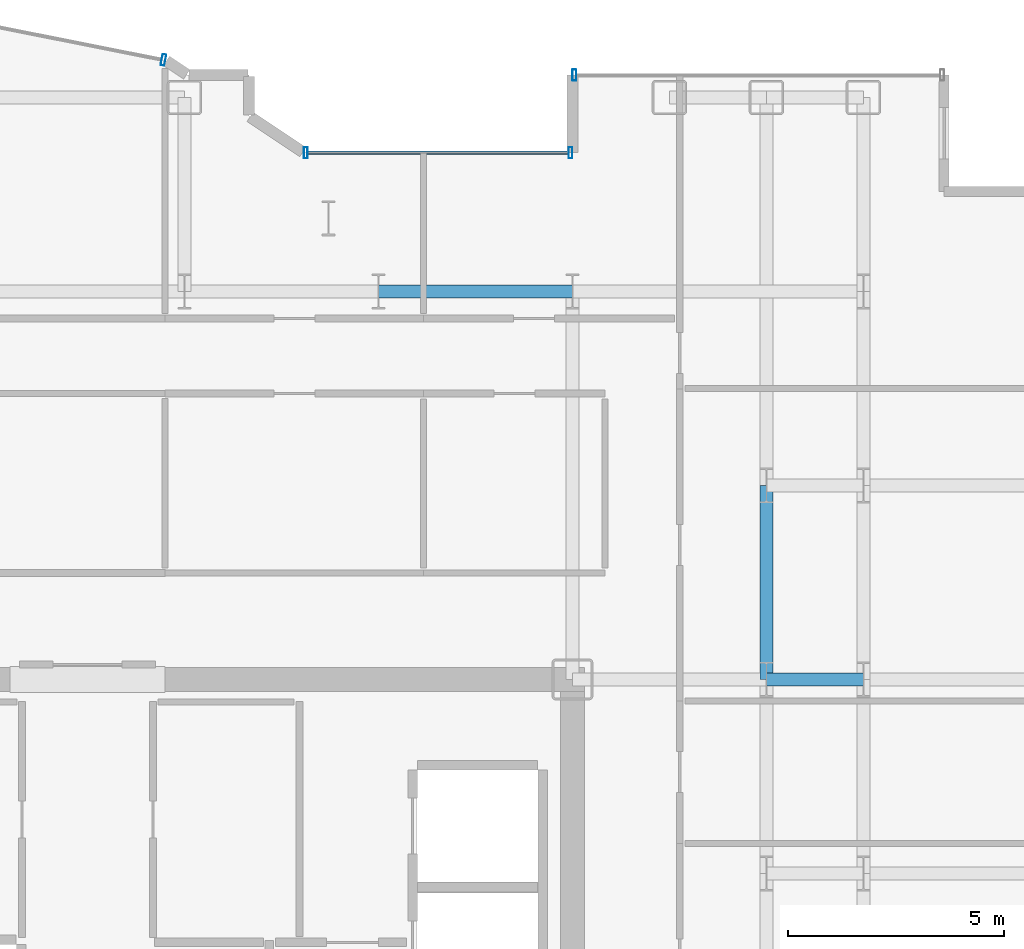
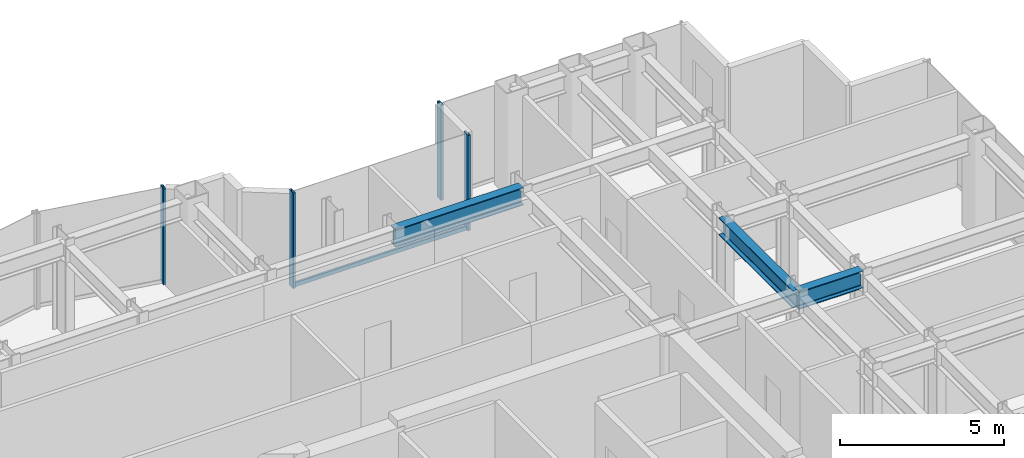
# One storey, part 13 of 23: 5 members, 3 beams, 3 elements without a shape of their own.
"""IFC4 building model written with IfcOpenShell, lengths in metres."""

from ifc_helpers import new_model, si_unit, direction, frame, origin, origin_2d, place, context, subcontext, project, spatial, hollow_rectangle, i_section, extrude, source, transform, mapped, material, layer, layer_set, material_profile, profile_set, type_object, element, aggregate, save


model = new_model("IFC4")

# Units and contexts
model_context = context("Model", 3, precision=1e-05, world=origin(), true_north=direction((0.0, 1.0)))
body_context = subcontext(model_context, "Body", "Model", "MODEL_VIEW")
ifc_project = project(units=[si_unit("LENGTHUNIT", "METRE"), si_unit("AREAUNIT", "SQUARE_METRE"), si_unit("VOLUMEUNIT", "CUBIC_METRE"), si_unit("PLANEANGLEUNIT", "RADIAN"), si_unit("MASSUNIT", "GRAM", prefix="KILO")], contexts=[model_context])

# Site, building, storey
site_placement = place(None, origin())
site = spatial("IfcSite", under=ifc_project, at=site_placement, CompositionType="ELEMENT")
building_placement = place(site_placement, origin())
building = spatial("IfcBuilding", under=site, at=building_placement, Name="Nefas-Gora Pilgrimage Tower", CompositionType="ELEMENT")
storey_placement = place(building_placement, frame((0.0, 0.0, 175.39990234375)))
storey = spatial("IfcBuildingStorey", under=building, at=storey_placement, Name="L43", CompositionType="ELEMENT", Elevation=175.39990234375)

# Beams
ifc_material_1 = material(Name="Steel S355", Category="steel")
ifc_material_profile_1 = material_profile(ifc_material_1, i_section(OverallWidth=0.300048828125, OverallDepth=0.64990234375, WebThickness=0.01611328125, FlangeThickness=0.031005859375, FilletRadius=0.027099609375, at=origin_2d()), Name="HEB 650")
ifc_profile_set_1 = profile_set([ifc_material_profile_1], Name="Steel S355")
beam_type = type_object("IfcBeamType", Name="BM-GIR-HEB650", PredefinedType="BEAM", material=ifc_profile_set_1)
shared_shape_1 = source(origin(), body_context, "Body", "SweptSolid", [
    extrude(i_section(OverallWidth=0.300048828125, OverallDepth=0.64990234375, WebThickness=0.01611328125, FlangeThickness=0.031005859375, FilletRadius=0.027099609375, at=origin_2d()), origin(), (0.0, 0.0, 1.0), 4.5),
])
for number, where, z_axis, x_axis, name in (
    (1, (6.75, 18.0, 3.22509765625), (1.0, 0.0, 0.0), (0.0, 1.0, 0.0), "L43 G-03 beam"),
    (2, (15.75, 9.0, 3.22509765625), (0.0, 1.0, 0.0), (-1.0, 0.0, 0.0), "L43 G-03 beam"),
):
    element("IfcBeam", number, at=place(storey_placement, frame(where, z_axis=z_axis, x_axis=x_axis)), inside=storey, type_object=beam_type, Name=name, PredefinedType="BEAM", context=body_context, shape_type="MappedRepresentation", body=[
        mapped(shared_shape_1, transform((0.0, 0.0, 0.0), x_axis=(1.0, 0.0, 0.0), y_axis=(0.0, 1.0, 0.0), z_axis=(0.0, 0.0, 1.0), scale=1.0)),
    ])
shared_shape_2 = source(origin(), body_context, "Body", "SweptSolid", [
    extrude(i_section(OverallWidth=0.300048828125, OverallDepth=0.64990234375, WebThickness=0.01611328125, FlangeThickness=0.031005859375, FilletRadius=0.027099609375, at=origin_2d()), origin(), (0.0, 0.0, 1.0), 2.25),
])
beam_placement = place(storey_placement, frame((15.75, 9.0, 3.22509765625), z_axis=(1.0, 0.0, 0.0), x_axis=(0.0, 1.0, 0.0)))
element("IfcBeam", 3, at=beam_placement, inside=storey, type_object=beam_type, Name="L43 G-03 beam", PredefinedType="BEAM", context=body_context, shape_type="MappedRepresentation", body=[
    mapped(shared_shape_2, transform((0.0, 0.0, 0.0), x_axis=(1.0, 0.0, 0.0), y_axis=(0.0, 1.0, 0.0), z_axis=(0.0, 0.0, 1.0), scale=1.0)),
])

# Curtain wall, members
ifc_material_2 = material(Name="Dark ceramic-fritted solar-control aluminium-glass curtain wall", Category="aluminium")
ifc_layer_1 = layer(ifc_material_2, 0.219970703125)
ifc_layer_set_1 = layer_set([ifc_layer_1], Name="Dark ceramic-fritted solar-control aluminium-glass curtain wall")
curtain_wall_type_1 = type_object("IfcCurtainWallType", Name="CW-SYS-5", PredefinedType="NOTDEFINED", material=ifc_layer_set_1)
curtain_wall_1_placement = place(storey_placement, origin())
curtain_wall_1 = element("IfcCurtainWall", 4, at=curtain_wall_1_placement, inside=storey, type_object=curtain_wall_type_1, Name="L43 Unitised Curtain Wall CW5", PredefinedType="NOTDEFINED")
ifc_material_3 = material(Name="Anodised architectural aluminium", Category="aluminium")
ifc_material_profile_2 = material_profile(ifc_material_3, hollow_rectangle(XDim=0.090087890625, YDim=0.260009765625, WallThickness=0.006103515625, InnerFilletRadius=0.006103515625, OuterFilletRadius=0.011962890625, at=origin_2d()), Name="ALU MULLION 90x260")
ifc_profile_set_2 = profile_set([ifc_material_profile_2], Name="Anodised architectural aluminium")
member_type_1 = type_object("IfcMemberType", Name="CWM-MUL-5", PredefinedType="MULLION", material=ifc_profile_set_2)
shared_shape_3 = source(origin(), body_context, "Body", "SweptSolid", [
    extrude(hollow_rectangle(XDim=0.090087890625, YDim=0.260009765625, WallThickness=0.006103515625, InnerFilletRadius=0.006103515625, OuterFilletRadius=0.011962890625, at=origin_2d()), origin(), (0.0, 0.0, 1.0), 3.550048828125),
])
member_1_placement = place(storey_placement, frame((11.205078125, 21.219970703125, 0.0), z_axis=(0.0, 0.0, 1.0), x_axis=(-1.0, 0.0, 0.0)))
member_1 = element("IfcMember", 5, at=member_1_placement, type_object=member_type_1, Name="CW5 Mullion 1", PredefinedType="MULLION", context=body_context, shape_type="MappedRepresentation", body=[
    mapped(shared_shape_3, transform((0.0, 0.0, 0.0), x_axis=(1.0, 0.0, 0.0), y_axis=(0.0, 1.0, 0.0), z_axis=(0.0, 0.0, 1.0), scale=1.0)),
])
member_2_placement = place(storey_placement, frame((5.06298828125, 21.219970703125, 0.0), z_axis=(0.0, 0.0, 1.0), x_axis=(-1.0, 0.0, 0.0)))
member_2 = element("IfcMember", 6, at=member_2_placement, type_object=member_type_1, Name="CW5 Mullion 2", PredefinedType="MULLION", context=body_context, shape_type="MappedRepresentation", body=[
    mapped(shared_shape_3, transform((0.0, 0.0, 0.0), x_axis=(1.0, 0.0, 0.0), y_axis=(0.0, 1.0, 0.0), z_axis=(0.0, 0.0, 1.0), scale=1.0)),
])

# Curtain wall, member
curtain_wall_2_placement = place(storey_placement, origin())
curtain_wall_2 = element("IfcCurtainWall", 7, at=curtain_wall_2_placement, inside=storey, type_object=curtain_wall_type_1, Name="L43 Unitised Curtain Wall CW5", PredefinedType="NOTDEFINED")
member_3_placement = place(storey_placement, frame((1.76318359375, 23.3740234375, 0.0), z_axis=(0.0, 0.0, 1.0), x_axis=(-0.980782896852, 0.195102304554, 0.0)))
member_3 = element("IfcMember", 8, at=member_3_placement, type_object=member_type_1, Name="CW5 Mullion 1", PredefinedType="MULLION", context=body_context, shape_type="MappedRepresentation", body=[
    mapped(shared_shape_3, transform((0.0, 0.0, 0.0), x_axis=(1.0, 0.0, 0.0), y_axis=(0.0, 1.0, 0.0), z_axis=(0.0, 0.0, 1.0), scale=1.0)),
])
aggregate(curtain_wall_2, [member_3])

# Member
ifc_material_profile_3 = material_profile(ifc_material_3, hollow_rectangle(XDim=0.080078125, YDim=0.159912109375, WallThickness=0.00439453125, InnerFilletRadius=0.00439453125, OuterFilletRadius=0.009033203125, at=origin_2d()), Name="ALU TRANSOM 80x160")
ifc_profile_set_3 = profile_set([ifc_material_profile_3], Name="Anodised architectural aluminium")
member_type_2 = type_object("IfcMemberType", Name="CWM-TRN-5", PredefinedType="USERDEFINED", material=ifc_profile_set_3)
shared_shape_4 = source(origin(), body_context, "Body", "SweptSolid", [
    extrude(hollow_rectangle(XDim=0.080078125, YDim=0.159912109375, WallThickness=0.00439453125, InnerFilletRadius=0.00439453125, OuterFilletRadius=0.009033203125, at=origin_2d()), origin(), (0.0, 0.0, 1.0), 6.052001953125),
])
member_4_placement = place(storey_placement, frame((11.159912109375, 21.219970703125, 0.050048828125), z_axis=(-1.0, 0.0, 0.0), x_axis=(0.0, -1.0, 0.0)))
member_4 = element("IfcMember", 9, at=member_4_placement, type_object=member_type_2, Name="CW5 Spandrel Transom", ObjectType="TRANSOM", PredefinedType="USERDEFINED", context=body_context, shape_type="MappedRepresentation", body=[
    mapped(shared_shape_4, transform((0.0, 0.0, 0.0), x_axis=(1.0, 0.0, 0.0), y_axis=(0.0, 1.0, 0.0), z_axis=(0.0, 0.0, 1.0), scale=1.0)),
])

aggregate(curtain_wall_1, [member_1, member_2, member_4])

# Curtain wall, member
ifc_layer_2 = layer(ifc_material_2, 0.219970703125)
ifc_layer_set_2 = layer_set([ifc_layer_2], Name="Dark ceramic-fritted solar-control aluminium-glass curtain wall")
curtain_wall_type_2 = type_object("IfcCurtainWallType", Name="CW-SYS-3", PredefinedType="NOTDEFINED", material=ifc_layer_set_2)
curtain_wall_3_placement = place(storey_placement, origin())
curtain_wall_3 = element("IfcCurtainWall", 10, at=curtain_wall_3_placement, inside=storey, type_object=curtain_wall_type_2, Name="L43 Unitised Curtain Wall CW3", PredefinedType="NOTDEFINED")
ifc_material_profile_4 = material_profile(ifc_material_3, hollow_rectangle(XDim=0.090087890625, YDim=0.260009765625, WallThickness=0.006103515625, InnerFilletRadius=0.006103515625, OuterFilletRadius=0.011962890625, at=origin_2d()), Name="ALU MULLION 90x260")
ifc_profile_set_4 = profile_set([ifc_material_profile_4], Name="Anodised architectural aluminium")
member_type_3 = type_object("IfcMemberType", Name="CWM-MUL-3", PredefinedType="MULLION", material=ifc_profile_set_4)
shared_shape_5 = source(origin(), body_context, "Body", "SweptSolid", [
    extrude(hollow_rectangle(XDim=0.090087890625, YDim=0.260009765625, WallThickness=0.006103515625, InnerFilletRadius=0.006103515625, OuterFilletRadius=0.011962890625, at=origin_2d()), origin(), (0.0, 0.0, 1.0), 3.550048828125),
])
member_5_placement = place(storey_placement, frame((11.294921875, 23.02001953125, 0.0), z_axis=(0.0, 0.0, 1.0), x_axis=(-1.0, 0.0, 0.0)))
member_5 = element("IfcMember", 11, at=member_5_placement, type_object=member_type_3, Name="CW3 Mullion 2", PredefinedType="MULLION", context=body_context, shape_type="MappedRepresentation", body=[
    mapped(shared_shape_5, transform((0.0, 0.0, 0.0), x_axis=(1.0, 0.0, 0.0), y_axis=(0.0, 1.0, 0.0), z_axis=(0.0, 0.0, 1.0), scale=1.0)),
])
aggregate(curtain_wall_3, [member_5])

save(model, "model.ifc")
